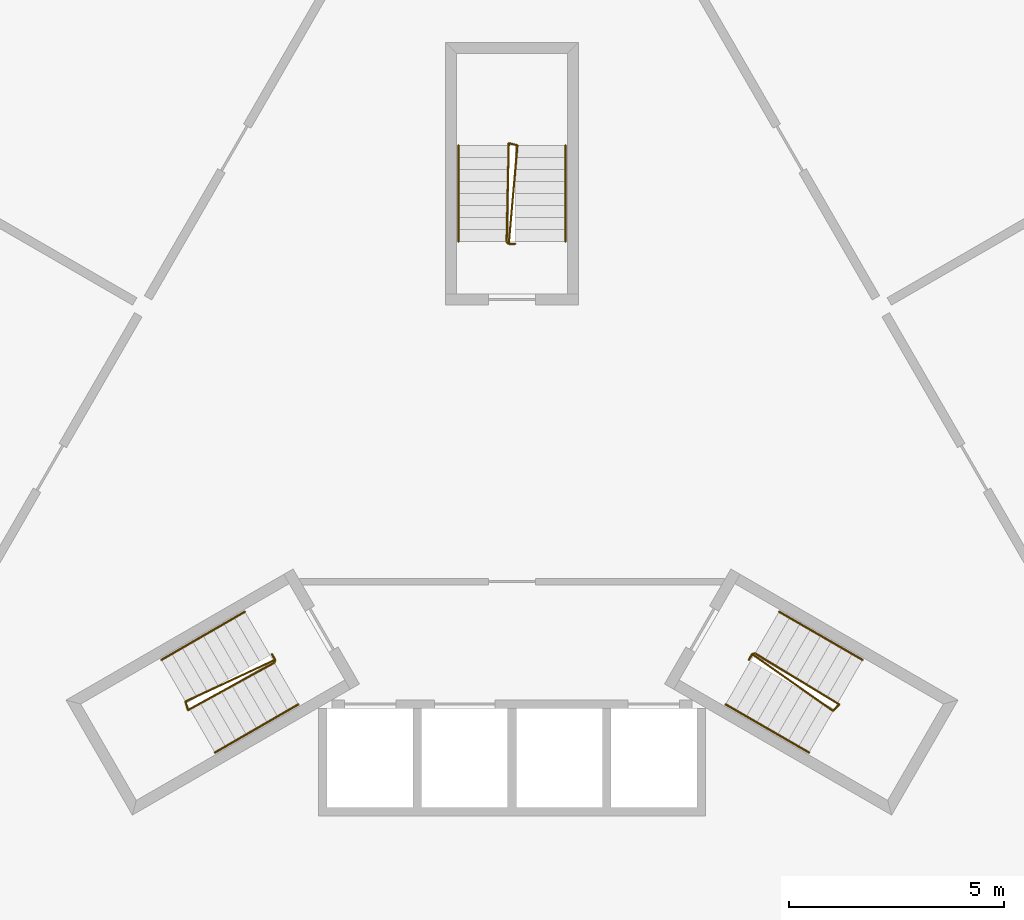
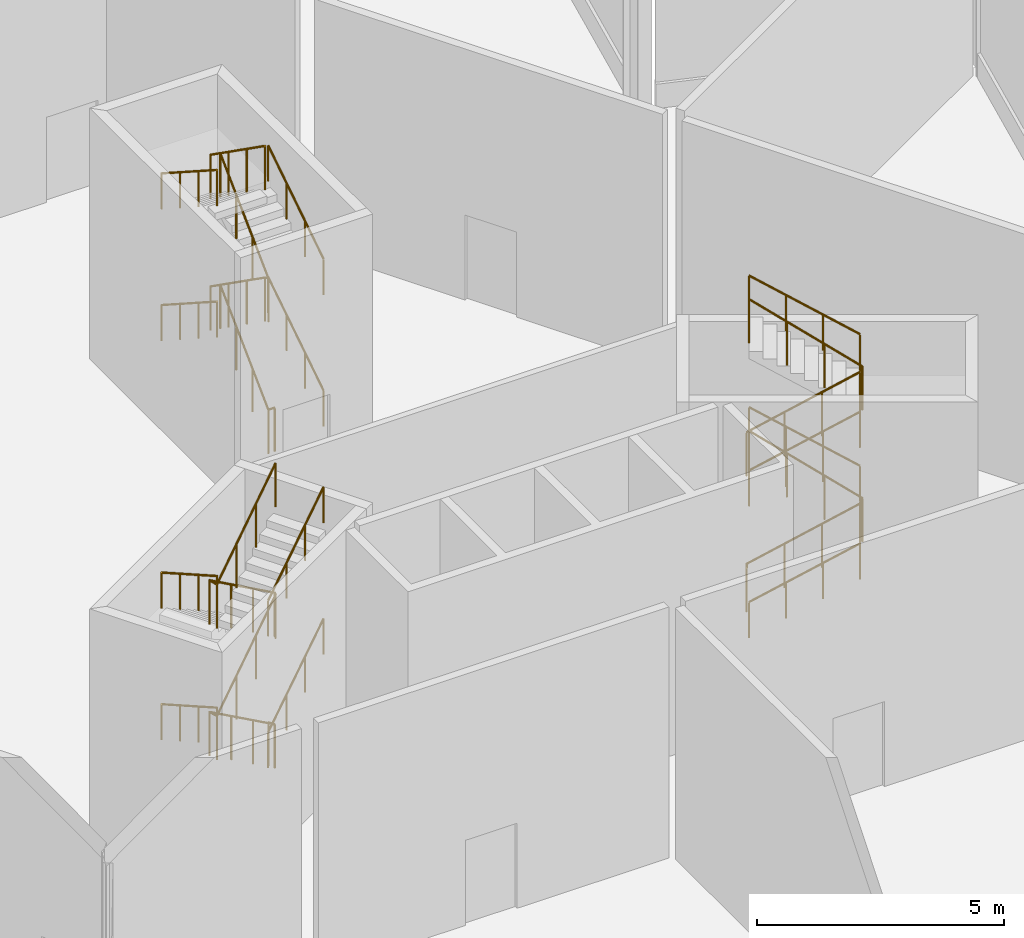
# One storey, part 12 of 12: 15 railings.
"""IFC4 building model written with IfcOpenShell, lengths in metres."""

import ifcopenshell
import ifcopenshell.guid

model = None  # the IFC model being written
_history = None  # IfcOwnerHistory: only IFC2X3 demands one
_inside = {}  # id of a spatial element -> (the spatial element, [elements in it])
_under = {}  # id of a project, library or spatial element -> (it, [spatial elements below it])
_declared = {}  # id of a project -> (the project, [libraries it declares])
_typed = {}  # id of a type object -> (the type object, [elements of that type])
_made_of = {}  # id of a material, layer set ... -> (it, [elements and type objects made of it])


def new_model(schema):
    """Start an empty IFC model of exactly this schema.

    Asked for "IFC4X3", IfcOpenShell would pick the latest addendum, in which some entities
    have other attributes; the version numbers below select the first issue.
    IFC2X3 requires an IfcOwnerHistory on every rooted entity: one is made here for all.
    """
    global model, _history
    if schema == "IFC4X3":
        model = ifcopenshell.file(schema_version=(4, 3, 0, 0))
    else:
        model = ifcopenshell.file(schema=schema)
    _inside.clear()
    _under.clear()
    _declared.clear()
    _typed.clear()
    _made_of.clear()
    _history = None
    if model.schema == "IFC2X3":
        org = make("IfcOrganization", Name="unknown")
        user = make(
            "IfcPersonAndOrganization",
            ThePerson=make("IfcPerson", FamilyName="unknown"),
            TheOrganization=org,
        )
        app = make(
            "IfcApplication",
            ApplicationDeveloper=org,
            Version="unknown",
            ApplicationFullName="unknown",
            ApplicationIdentifier="unknown",
        )
        _history = make(
            "IfcOwnerHistory",
            OwningUser=user,
            OwningApplication=app,
            ChangeAction="ADDED",
            CreationDate=0,
        )
    return model


def make(cls, **values):
    """One entity of the class cls with the attributes given. An attribute that is None is left unset."""
    return model.create_entity(
        cls, **{name: value for name, value in values.items() if value is not None}
    )


def rooted(cls, **values):
    """An entity with a GlobalId (a new one), such as an element, a storey or a relation."""
    return make(cls, GlobalId=ifcopenshell.guid.new(), OwnerHistory=_history, **values)


def si_unit(unit_type, name, prefix=None):
    """IfcSIUnit, for example si_unit("LENGTHUNIT", "METRE", prefix="MILLI")."""
    return make("IfcSIUnit", UnitType=unit_type, Prefix=prefix, Name=name)


def assignment(units):
    """IfcUnitAssignment: the units of a project."""
    return None if units is None else make("IfcUnitAssignment", Units=units)


def point(xyz):
    """IfcCartesianPoint."""
    return None if xyz is None else make("IfcCartesianPoint", Coordinates=xyz)


def direction(xyz):
    """IfcDirection."""
    return None if xyz is None else make("IfcDirection", DirectionRatios=xyz)


def frame(location, z_axis=None, x_axis=None):
    """IfcAxis2Placement3D, a coordinate frame: its origin and axes. An axis left out is left unset."""
    return make(
        "IfcAxis2Placement3D",
        Location=point(location),
        Axis=direction(z_axis),
        RefDirection=direction(x_axis),
    )


def frame_2d(location, x_axis=None):
    """IfcAxis2Placement2D, a coordinate frame in the plane: its origin and x axis."""
    return make(
        "IfcAxis2Placement2D", Location=point(location), RefDirection=direction(x_axis)
    )


def origin():
    """The frame at (0, 0, 0) with its axes left unset."""
    return frame((0.0, 0.0, 0.0))


def origin_2d():
    """The frame at (0, 0) in the plane with its x axis left unset."""
    return frame_2d((0.0, 0.0))


def place(relative_to, where):
    """IfcLocalPlacement: puts the frame where relative to a parent placement (None: the world)."""
    return make(
        "IfcLocalPlacement", PlacementRelTo=relative_to, RelativePlacement=where
    )


def context(
    kind, dimensions, precision=None, world=None, true_north=None, identifier=None
):
    """IfcGeometricRepresentationContext, for example the 3D "Model" context."""
    return make(
        "IfcGeometricRepresentationContext",
        ContextIdentifier=identifier,
        ContextType=kind,
        CoordinateSpaceDimension=dimensions,
        Precision=precision,
        WorldCoordinateSystem=world,
        TrueNorth=true_north,
    )


def subcontext(parent, identifier, kind, view, scale=None):
    """IfcGeometricRepresentationSubContext, for example "Body" below "Model"."""
    return make(
        "IfcGeometricRepresentationSubContext",
        ContextIdentifier=identifier,
        ContextType=kind,
        ParentContext=parent,
        TargetScale=scale,
        TargetView=view,
    )


def project(units=None, contexts=None):
    """IfcProject with its units and contexts."""
    return rooted(
        "IfcProject",
        Name="project",
        RepresentationContexts=contexts,
        UnitsInContext=assignment(units),
    )


def spatial(cls, under=None, at=None, **own):
    """A site, building, storey or space (cls), placed at a placement, below another one or the project."""
    s = rooted(cls, ObjectPlacement=at, **own)
    if under is not None:
        _under.setdefault(under.id(), (under, []))[1].append(s)
    return s


def profile(cls, at=None, kind="AREA", **sizes):
    """A parametric profile (cls). Its sizes go by their IFC names, for example OverallWidth=200.0."""
    return make(cls, ProfileType=kind, Position=at, **sizes)


def circle(**sizes):
    """IfcCircleProfileDef."""
    return profile("IfcCircleProfileDef", **sizes)


def extrude(swept, where, along, depth):
    """IfcExtrudedAreaSolid: the profile swept, set in the frame where, extruded along a direction by depth."""
    return make(
        "IfcExtrudedAreaSolid",
        SweptArea=swept,
        Position=where,
        ExtrudedDirection=direction(along),
        Depth=depth,
    )


def shape(context_of_items, identifier, shape_type, items):
    """IfcShapeRepresentation: the items that make up one representation, for example the "Body"."""
    return make(
        "IfcShapeRepresentation",
        ContextOfItems=context_of_items,
        RepresentationIdentifier=identifier,
        RepresentationType=shape_type,
        Items=items,
    )


def material(Name=None, Category=None):
    """IfcMaterial."""
    return make("IfcMaterial", Name=Name, Category=Category)


def made_of(thing, what):
    """Note that an element or type object is made of a material, layer set ...; save() writes the relation."""
    if what is not None:
        _made_of.setdefault(what.id(), (what, []))[1].append(thing)
    return thing


def type_object(cls, material=None, **own):
    """A type object (cls), such as IfcWallType, which elements share."""
    return made_of(rooted(cls, **own), material)


def element(
    cls,
    number,
    at=None,
    inside=None,
    cuts=None,
    type_object=None,
    material=None,
    context=None,
    identifier="Body",
    shape_type=None,
    held_by="IfcProductDefinitionShape",
    body=None,
    shapes=None,
    **own,
):
    """One element of the class cls, such as IfcWall. Its Tag is "e" and its number.

    at: its placement. inside: the storey or other place that contains it. cuts: it is an
    opening in that element (IfcRelVoidsElement). A single representation is given by context,
    identifier, shape_type and body (its items); several are given by shapes. held_by: the class
    of the entity that holds the representations. save() writes the other relations.
    """
    e = rooted(cls, Tag="e%d" % number, ObjectPlacement=at, **own)
    if body is not None:
        shapes = [shape(context, identifier, shape_type, body)]
    if shapes is not None:
        e.Representation = make(held_by, Representations=shapes)
    if inside is not None:
        _inside.setdefault(inside.id(), (inside, []))[1].append(e)
    if cuts is not None:
        rooted(
            "IfcRelVoidsElement", RelatingBuildingElement=cuts, RelatedOpeningElement=e
        )
    if type_object is not None:
        _typed.setdefault(type_object.id(), (type_object, []))[1].append(e)
    return made_of(e, material)


def aggregate(whole, parts):
    """IfcRelAggregates: a whole, such as a stair, and the parts it consists of."""
    return rooted("IfcRelAggregates", RelatingObject=whole, RelatedObjects=parts)


def save(model, path):
    """Write the relations noted so far, then the file.

    IfcRelAggregates (storeys below a building ...), IfcRelContainedInSpatialStructure (elements
    in a storey), IfcRelDefinesByType, IfcRelAssociatesMaterial and IfcRelDeclares: one each for
    every whole, place, type object, material and project.
    """
    for whole, parts in _under.values():
        aggregate(whole, parts)
    for where, things in _inside.values():
        rooted(
            "IfcRelContainedInSpatialStructure",
            RelatedElements=things,
            RelatingStructure=where,
        )
    for kind, things in _typed.values():
        rooted("IfcRelDefinesByType", RelatedObjects=things, RelatingType=kind)
    for what, things in _made_of.values():
        rooted("IfcRelAssociatesMaterial", RelatedObjects=things, RelatingMaterial=what)
    for by, libraries in _declared.values():
        rooted("IfcRelDeclares", RelatingContext=by, RelatedDefinitions=libraries)
    model.write(path)


model = new_model("IFC4")

# Units and contexts
model_context = context("Model", 3, precision=1e-05, world=origin(), true_north=direction((0.0, 1.0)))
body_context = subcontext(model_context, "Body", "Model", "MODEL_VIEW")
ifc_project = project(units=[si_unit("LENGTHUNIT", "METRE"), si_unit("AREAUNIT", "SQUARE_METRE"), si_unit("VOLUMEUNIT", "CUBIC_METRE"), si_unit("PLANEANGLEUNIT", "RADIAN"), si_unit("MASSUNIT", "GRAM", prefix="KILO")], contexts=[model_context])

# Site, building, storey
site_placement = place(None, origin())
site = spatial("IfcSite", under=ifc_project, at=site_placement, CompositionType="ELEMENT")
building_placement = place(site_placement, origin())
building = spatial("IfcBuilding", under=site, at=building_placement, Name="Cormorant Prow Tower", CompositionType="ELEMENT")
storey_placement = place(building_placement, frame((0.0, 0.0, 415.199951171875)))
storey = spatial("IfcBuildingStorey", under=building, at=storey_placement, Name="L94", CompositionType="ELEMENT", Elevation=415.199951171875)

# Railings
ifc_material_1 = material(Name="Stainless steel", Category="steel")
railing_type_1 = type_object("IfcRailingType", Name="Stair guard 1100", PredefinedType="GUARDRAIL", material=ifc_material_1)
railing_1_placement = place(storey_placement, frame((-5.585205078125, -3.137939453125, 0.0)))
element("IfcRailing", 1, at=railing_1_placement, inside=storey, type_object=railing_type_1, Name="L94 ST1 stair guard 1", PredefinedType="GUARDRAIL", context=body_context, shape_type="SweptSolid", body=[
    extrude(circle(Radius=0.02392578125, at=origin_2d()), frame((0.0, 0.0, 1.076171875), z_axis=(0.501036270542, -0.865426285481, 0.0), x_axis=(0.865426285481, 0.501036270542, 0.0)), (0.0, 0.0, 1.0), 0.150146484375),
    extrude(circle(Radius=0.02392578125, at=origin_2d()), frame((0.0751953125, -0.1298828125, 1.076171875), z_axis=(-0.740008473092, -0.345244782771, 0.577229157026), x_axis=(0.422792438952, -0.906226546491, 0.0)), (0.0, 0.0, 1.0), 2.815185546875),
    extrude(circle(Radius=0.02392578125, at=origin_2d()), frame((-2.008056640625, -1.101806640625, 2.701171875), z_axis=(0.275034262293, -0.961434425515, 0.0), x_axis=(0.961434425515, 0.275034262293, 0.0)), (0.0, 0.0, 1.0), 0.2060546875),
    extrude(circle(Radius=0.02392578125, at=origin_2d()), frame((-1.951416015625, -1.2998046875, 2.701171875), z_axis=(0.715094700355, 0.392232833455, 0.578612974175), x_axis=(-0.480911908544, 0.87676891837, 0.0)), (0.0, 0.0, 1.0), 2.808349609375),
    extrude(circle(Radius=0.02392578125, at=origin_2d()), frame((0.056884765625, -0.1982421875, 4.326171875), z_axis=(0.258736085224, 0.965948051503, 0.0), x_axis=(-0.965948051503, 0.258736085224, 0.0)), (0.0, 0.0, 1.0), 0.07080078125),
    extrude(circle(Radius=0.02392578125, at=origin_2d()), frame((0.0751953125, -0.1298828125, 4.326171875), z_axis=(-0.740008473092, -0.345244782771, 0.577229157026), x_axis=(0.422792438952, -0.906226546491, 0.0)), (0.0, 0.0, 1.0), 2.815185546875),
    extrude(circle(Radius=0.02392578125, at=origin_2d()), frame((-2.008056640625, -1.101806640625, 5.951171875), z_axis=(0.275034262293, -0.961434425515, 0.0), x_axis=(0.961434425515, 0.275034262293, 0.0)), (0.0, 0.0, 1.0), 0.2060546875),
    extrude(circle(Radius=0.02392578125, at=origin_2d()), frame((-1.951416015625, -1.2998046875, 5.951171875), z_axis=(0.715094700355, 0.392232833455, 0.578612974175), x_axis=(-0.480911908544, 0.87676891837, 0.0)), (0.0, 0.0, 1.0), 2.808349609375),
    extrude(circle(Radius=0.02099609375, at=origin_2d()), origin(), (0.0, 0.0, 1.0), 1.052001953125),
    extrude(circle(Radius=0.02099609375, at=origin_2d()), frame((0.0751953125, -0.1298828125, 0.0)), (0.0, 0.0, 1.0), 1.052001953125),
    extrude(circle(Radius=0.02099609375, at=origin_2d()), frame((-0.619140625, -0.453857421875, 0.541748046875)), (0.0, 0.0, 1.0), 1.052001953125),
    extrude(circle(Radius=0.02099609375, at=origin_2d()), frame((-1.313720703125, -0.77783203125, 1.083251953125)), (0.0, 0.0, 1.0), 1.052001953125),
    extrude(circle(Radius=0.02099609375, at=origin_2d()), frame((-2.008056640625, -1.101806640625, 1.625)), (0.0, 0.0, 1.0), 1.052001953125),
    extrude(circle(Radius=0.02099609375, at=origin_2d()), frame((-1.951416015625, -1.2998046875, 1.625)), (0.0, 0.0, 1.0), 1.052001953125),
    extrude(circle(Radius=0.02099609375, at=origin_2d()), frame((-1.281982421875, -0.9326171875, 2.166748046875)), (0.0, 0.0, 1.0), 1.052001953125),
    extrude(circle(Radius=0.02099609375, at=origin_2d()), frame((-0.612548828125, -0.5654296875, 2.708251953125)), (0.0, 0.0, 1.0), 1.052001953125),
    extrude(circle(Radius=0.02099609375, at=origin_2d()), frame((0.056884765625, -0.1982421875, 3.25)), (0.0, 0.0, 1.0), 1.052001953125),
    extrude(circle(Radius=0.02099609375, at=origin_2d()), frame((0.0751953125, -0.1298828125, 3.25)), (0.0, 0.0, 1.0), 1.052001953125),
    extrude(circle(Radius=0.02099609375, at=origin_2d()), frame((-0.619140625, -0.453857421875, 3.791748046875)), (0.0, 0.0, 1.0), 1.052001953125),
    extrude(circle(Radius=0.02099609375, at=origin_2d()), frame((-1.313720703125, -0.77783203125, 4.333251953125)), (0.0, 0.0, 1.0), 1.052001953125),
    extrude(circle(Radius=0.02099609375, at=origin_2d()), frame((-2.008056640625, -1.101806640625, 4.875)), (0.0, 0.0, 1.0), 1.052001953125),
    extrude(circle(Radius=0.02099609375, at=origin_2d()), frame((-1.951416015625, -1.2998046875, 4.875)), (0.0, 0.0, 1.0), 1.052001953125),
    extrude(circle(Radius=0.02099609375, at=origin_2d()), frame((-1.281982421875, -0.9326171875, 5.416748046875)), (0.0, 0.0, 1.0), 1.052001953125),
    extrude(circle(Radius=0.02099609375, at=origin_2d()), frame((-0.612548828125, -0.5654296875, 5.958251953125)), (0.0, 0.0, 1.0), 1.052001953125),
    extrude(circle(Radius=0.02099609375, at=origin_2d()), frame((0.056884765625, -0.1982421875, 6.5)), (0.0, 0.0, 1.0), 1.052001953125),
])
railing_2_placement = place(storey_placement, frame((5.510009765625, -3.267822265625, 0.0)))
element("IfcRailing", 2, at=railing_2_placement, inside=storey, type_object=railing_type_1, Name="L94 ST2 stair guard 1", PredefinedType="GUARDRAIL", context=body_context, shape_type="SweptSolid", body=[
    extrude(circle(Radius=0.02392578125, at=origin_2d()), frame((0.0, 0.0, 1.076171875), z_axis=(0.501036270542, 0.865426285481, 0.0), x_axis=(-0.865426285481, 0.501036270542, 0.0)), (0.0, 0.0, 1.0), 0.150146484375),
    extrude(circle(Radius=0.02392578125, at=origin_2d()), frame((0.0751953125, 0.1298828125, 1.076171875), z_axis=(0.668948032696, -0.468254949893, 0.577274485365), x_axis=(0.573455215813, 0.819236910458, 0.0)), (0.0, 0.0, 1.0), 2.81494140625),
    extrude(circle(Radius=0.02392578125, at=origin_2d()), frame((1.958251953125, -1.188232421875, 2.701171875), z_axis=(0.695164929852, 0.718850276695, 0.0), x_axis=(-0.718850276695, 0.695164929852, 0.0)), (0.0, 0.0, 1.0), 0.2060546875),
    extrude(circle(Radius=0.02392578125, at=origin_2d()), frame((2.1015625, -1.0400390625, 2.701171875), z_axis=(-0.697276709807, 0.423095093708, 0.578615357246), x_axis=(-0.518752825935, -0.854924268918, 0.0)), (0.0, 0.0, 1.0), 2.808349609375),
    extrude(circle(Radius=0.02392578125, at=origin_2d()), frame((0.143310546875, 0.148193359375, 4.326171875), z_axis=(-0.965715946433, -0.259601060869, 0.0), x_axis=(0.259601060869, -0.965715946433, 0.0)), (0.0, 0.0, 1.0), 0.070556640625),
    extrude(circle(Radius=0.02392578125, at=origin_2d()), frame((0.0751953125, 0.1298828125, 4.326171875), z_axis=(0.668948032696, -0.468254949893, 0.577274485365), x_axis=(0.573455215813, 0.819236910458, 0.0)), (0.0, 0.0, 1.0), 2.81494140625),
    extrude(circle(Radius=0.02392578125, at=origin_2d()), frame((1.958251953125, -1.188232421875, 5.951171875), z_axis=(0.695164929852, 0.718850276695, 0.0), x_axis=(-0.718850276695, 0.695164929852, 0.0)), (0.0, 0.0, 1.0), 0.2060546875),
    extrude(circle(Radius=0.02392578125, at=origin_2d()), frame((2.1015625, -1.0400390625, 5.951171875), z_axis=(-0.697276709807, 0.423095093708, 0.578615357246), x_axis=(-0.518752825935, -0.854924268918, 0.0)), (0.0, 0.0, 1.0), 2.808349609375),
    extrude(circle(Radius=0.02099609375, at=origin_2d()), origin(), (0.0, 0.0, 1.0), 1.052001953125),
    extrude(circle(Radius=0.02099609375, at=origin_2d()), frame((0.0751953125, 0.1298828125, 0.0)), (0.0, 0.0, 1.0), 1.052001953125),
    extrude(circle(Radius=0.02099609375, at=origin_2d()), frame((0.702880859375, -0.3095703125, 0.541748046875)), (0.0, 0.0, 1.0), 1.052001953125),
    extrude(circle(Radius=0.02099609375, at=origin_2d()), frame((1.33056640625, -0.748779296875, 1.083251953125)), (0.0, 0.0, 1.0), 1.052001953125),
    extrude(circle(Radius=0.02099609375, at=origin_2d()), frame((1.958251953125, -1.188232421875, 1.625)), (0.0, 0.0, 1.0), 1.052001953125),
    extrude(circle(Radius=0.02099609375, at=origin_2d()), frame((2.1015625, -1.0400390625, 1.625)), (0.0, 0.0, 1.0), 1.052001953125),
    extrude(circle(Radius=0.02099609375, at=origin_2d()), frame((1.44873046875, -0.64404296875, 2.166748046875)), (0.0, 0.0, 1.0), 1.052001953125),
    extrude(circle(Radius=0.02099609375, at=origin_2d()), frame((0.796142578125, -0.247802734375, 2.708251953125)), (0.0, 0.0, 1.0), 1.052001953125),
    extrude(circle(Radius=0.02099609375, at=origin_2d()), frame((0.143310546875, 0.148193359375, 3.25)), (0.0, 0.0, 1.0), 1.052001953125),
    extrude(circle(Radius=0.02099609375, at=origin_2d()), frame((0.0751953125, 0.1298828125, 3.25)), (0.0, 0.0, 1.0), 1.052001953125),
    extrude(circle(Radius=0.02099609375, at=origin_2d()), frame((0.702880859375, -0.3095703125, 3.791748046875)), (0.0, 0.0, 1.0), 1.052001953125),
    extrude(circle(Radius=0.02099609375, at=origin_2d()), frame((1.33056640625, -0.748779296875, 4.333251953125)), (0.0, 0.0, 1.0), 1.052001953125),
    extrude(circle(Radius=0.02099609375, at=origin_2d()), frame((1.958251953125, -1.188232421875, 4.875)), (0.0, 0.0, 1.0), 1.052001953125),
    extrude(circle(Radius=0.02099609375, at=origin_2d()), frame((2.1015625, -1.0400390625, 4.875)), (0.0, 0.0, 1.0), 1.052001953125),
    extrude(circle(Radius=0.02099609375, at=origin_2d()), frame((1.44873046875, -0.64404296875, 5.416748046875)), (0.0, 0.0, 1.0), 1.052001953125),
    extrude(circle(Radius=0.02099609375, at=origin_2d()), frame((0.796142578125, -0.247802734375, 5.958251953125)), (0.0, 0.0, 1.0), 1.052001953125),
    extrude(circle(Radius=0.02099609375, at=origin_2d()), frame((0.143310546875, 0.148193359375, 6.5)), (0.0, 0.0, 1.0), 1.052001953125),
])
railing_3_placement = place(storey_placement, frame((0.074951171875, 6.40576171875, 0.0)))
element("IfcRailing", 3, at=railing_3_placement, inside=storey, type_object=railing_type_1, Name="L94 ST3 stair guard 1", PredefinedType="GUARDRAIL", context=body_context, shape_type="SweptSolid", body=[
    extrude(circle(Radius=0.02392578125, at=origin_2d()), frame((0.0, 0.0, 1.076171875), z_axis=(-1.0, 0.0, 0.0), x_axis=(0.0, -1.0, 0.0)), (0.0, 0.0, 1.0), 0.14990234375),
    extrude(circle(Radius=0.02392578125, at=origin_2d()), frame((-0.14990234375, 0.0, 1.076171875), z_axis=(0.071027656616, 0.813479144146, 0.577240637893), x_axis=(-0.996209839609, 0.086982500921, 0.0)), (0.0, 0.0, 1.0), 2.815185546875),
    extrude(circle(Radius=0.02392578125, at=origin_2d()), frame((0.050048828125, 2.2900390625, 2.701171875), z_axis=(-0.970072785993, 0.242814311512, 0.0), x_axis=(-0.242814311512, -0.970072785993, 0.0)), (0.0, 0.0, 1.0), 0.2060546875),
    extrude(circle(Radius=0.02392578125, at=origin_2d()), frame((-0.14990234375, 2.340087890625, 2.701171875), z_axis=(-0.017820781196, -0.815409403021, 0.578610339713), x_axis=(0.999761264773, -0.0218497931, 0.0)), (0.0, 0.0, 1.0), 2.808349609375),
    extrude(circle(Radius=0.02392578125, at=origin_2d()), frame((-0.199951171875, 0.050048828125, 4.326171875), z_axis=(0.707106781187, -0.707106781187, 0.0), x_axis=(0.707106781187, 0.707106781187, 0.0)), (0.0, 0.0, 1.0), 0.07080078125),
    extrude(circle(Radius=0.02392578125, at=origin_2d()), frame((-0.14990234375, 0.0, 4.326171875), z_axis=(0.071027656616, 0.813479144146, 0.577240637893), x_axis=(-0.996209839609, 0.086982500921, 0.0)), (0.0, 0.0, 1.0), 2.815185546875),
    extrude(circle(Radius=0.02392578125, at=origin_2d()), frame((0.050048828125, 2.2900390625, 5.951171875), z_axis=(-0.970072785993, 0.242814311512, 0.0), x_axis=(-0.242814311512, -0.970072785993, 0.0)), (0.0, 0.0, 1.0), 0.2060546875),
    extrude(circle(Radius=0.02392578125, at=origin_2d()), frame((-0.14990234375, 2.340087890625, 5.951171875), z_axis=(-0.017820781196, -0.815409403021, 0.578610339713), x_axis=(0.999761264773, -0.0218497931, 0.0)), (0.0, 0.0, 1.0), 2.808349609375),
    extrude(circle(Radius=0.02099609375, at=origin_2d()), origin(), (0.0, 0.0, 1.0), 1.052001953125),
    extrude(circle(Radius=0.02099609375, at=origin_2d()), frame((-0.14990234375, 0.0, 0.0)), (0.0, 0.0, 1.0), 1.052001953125),
    extrude(circle(Radius=0.02099609375, at=origin_2d()), frame((-0.083251953125, 0.763427734375, 0.541748046875)), (0.0, 0.0, 1.0), 1.052001953125),
    extrude(circle(Radius=0.02099609375, at=origin_2d()), frame((-0.0166015625, 1.526611328125, 1.083251953125)), (0.0, 0.0, 1.0), 1.052001953125),
    extrude(circle(Radius=0.02099609375, at=origin_2d()), frame((0.050048828125, 2.2900390625, 1.625)), (0.0, 0.0, 1.0), 1.052001953125),
    extrude(circle(Radius=0.02099609375, at=origin_2d()), frame((-0.14990234375, 2.340087890625, 1.625)), (0.0, 0.0, 1.0), 1.052001953125),
    extrude(circle(Radius=0.02099609375, at=origin_2d()), frame((-0.16650390625, 1.57666015625, 2.166748046875)), (0.0, 0.0, 1.0), 1.052001953125),
    extrude(circle(Radius=0.02099609375, at=origin_2d()), frame((-0.183349609375, 0.8134765625, 2.708251953125)), (0.0, 0.0, 1.0), 1.052001953125),
    extrude(circle(Radius=0.02099609375, at=origin_2d()), frame((-0.199951171875, 0.050048828125, 3.25)), (0.0, 0.0, 1.0), 1.052001953125),
    extrude(circle(Radius=0.02099609375, at=origin_2d()), frame((-0.14990234375, 0.0, 3.25)), (0.0, 0.0, 1.0), 1.052001953125),
    extrude(circle(Radius=0.02099609375, at=origin_2d()), frame((-0.083251953125, 0.763427734375, 3.791748046875)), (0.0, 0.0, 1.0), 1.052001953125),
    extrude(circle(Radius=0.02099609375, at=origin_2d()), frame((-0.0166015625, 1.526611328125, 4.333251953125)), (0.0, 0.0, 1.0), 1.052001953125),
    extrude(circle(Radius=0.02099609375, at=origin_2d()), frame((0.050048828125, 2.2900390625, 4.875)), (0.0, 0.0, 1.0), 1.052001953125),
    extrude(circle(Radius=0.02099609375, at=origin_2d()), frame((-0.14990234375, 2.340087890625, 4.875)), (0.0, 0.0, 1.0), 1.052001953125),
    extrude(circle(Radius=0.02099609375, at=origin_2d()), frame((-0.16650390625, 1.57666015625, 5.416748046875)), (0.0, 0.0, 1.0), 1.052001953125),
    extrude(circle(Radius=0.02099609375, at=origin_2d()), frame((-0.183349609375, 0.8134765625, 5.958251953125)), (0.0, 0.0, 1.0), 1.052001953125),
    extrude(circle(Radius=0.02099609375, at=origin_2d()), frame((-0.199951171875, 0.050048828125, 6.5)), (0.0, 0.0, 1.0), 1.052001953125),
])
ifc_material_2 = material(Name="Stainless steel", Category="steel")
railing_type_2 = type_object("IfcRailingType", Name="Stair handrail 900", PredefinedType="HANDRAIL", material=ifc_material_2)
railing_4_placement = place(storey_placement, frame((-6.212890625, -2.150634765625, 0.1806640625)))
element("IfcRailing", 4, at=railing_4_placement, inside=storey, type_object=railing_type_2, Name="L94 ST1 stair handrail 1", PredefinedType="HANDRAIL", context=body_context, shape_type="SweptSolid", body=[
    extrude(circle(Radius=0.02392578125, at=origin_2d()), frame((0.0, 0.0, 0.8759765625), z_axis=(-0.727862807897, -0.420174515457, 0.541912455514), x_axis=(0.49994888933, -0.866054910533, 0.0)), (0.0, 0.0, 1.0), 2.665283203125),
    extrude(circle(Radius=0.02099609375, at=origin_2d()), origin(), (0.0, 0.0, 1.0), 0.851806640625),
    extrude(circle(Radius=0.02099609375, at=origin_2d()), frame((-0.646728515625, -0.373291015625, 0.4814453125)), (0.0, 0.0, 1.0), 0.851806640625),
    extrude(circle(Radius=0.02099609375, at=origin_2d()), frame((-1.293212890625, -0.74658203125, 0.962890625)), (0.0, 0.0, 1.0), 0.851806640625),
    extrude(circle(Radius=0.02099609375, at=origin_2d()), frame((-1.93994140625, -1.119873046875, 1.4443359375)), (0.0, 0.0, 1.0), 0.851806640625),
])
railing_5_placement = place(storey_placement, frame((-6.90869140625, -5.42529296875, 1.8056640625)))
element("IfcRailing", 5, at=railing_5_placement, inside=storey, type_object=railing_type_2, Name="L94 ST1 stair handrail 2", PredefinedType="HANDRAIL", context=body_context, shape_type="SweptSolid", body=[
    extrude(circle(Radius=0.02392578125, at=origin_2d()), frame((0.0, 0.0, 0.8759765625), z_axis=(0.727791713441, 0.420277958624, 0.541927725201), x_axis=(-0.500077830873, 0.865980463445, 0.0)), (0.0, 0.0, 1.0), 2.665283203125),
    extrude(circle(Radius=0.02099609375, at=origin_2d()), origin(), (0.0, 0.0, 1.0), 0.851806640625),
    extrude(circle(Radius=0.02099609375, at=origin_2d()), frame((0.646484375, 0.373291015625, 0.4814453125)), (0.0, 0.0, 1.0), 0.851806640625),
    extrude(circle(Radius=0.02099609375, at=origin_2d()), frame((1.293212890625, 0.746826171875, 0.962890625)), (0.0, 0.0, 1.0), 0.851806640625),
    extrude(circle(Radius=0.02099609375, at=origin_2d()), frame((1.939697265625, 1.1201171875, 1.4443359375)), (0.0, 0.0, 1.0), 0.851806640625),
])
railing_6_placement = place(storey_placement, frame((-6.212890625, -2.150634765625, 3.4306640625)))
element("IfcRailing", 6, at=railing_6_placement, inside=storey, type_object=railing_type_2, Name="L94 ST1 stair handrail 3", PredefinedType="HANDRAIL", context=body_context, shape_type="SweptSolid", body=[
    extrude(circle(Radius=0.02392578125, at=origin_2d()), frame((0.0, 0.0, 0.8759765625), z_axis=(-0.727862807897, -0.420174515457, 0.541912455514), x_axis=(0.49994888933, -0.866054910533, 0.0)), (0.0, 0.0, 1.0), 2.665283203125),
    extrude(circle(Radius=0.02099609375, at=origin_2d()), origin(), (0.0, 0.0, 1.0), 0.851806640625),
    extrude(circle(Radius=0.02099609375, at=origin_2d()), frame((-0.646728515625, -0.373291015625, 0.4814453125)), (0.0, 0.0, 1.0), 0.851806640625),
    extrude(circle(Radius=0.02099609375, at=origin_2d()), frame((-1.293212890625, -0.74658203125, 0.962890625)), (0.0, 0.0, 1.0), 0.851806640625),
    extrude(circle(Radius=0.02099609375, at=origin_2d()), frame((-1.93994140625, -1.119873046875, 1.4443359375)), (0.0, 0.0, 1.0), 0.851806640625),
])
railing_7_placement = place(storey_placement, frame((-6.90869140625, -5.42529296875, 5.0556640625)))
element("IfcRailing", 7, at=railing_7_placement, inside=storey, type_object=railing_type_2, Name="L94 ST1 stair handrail 4", PredefinedType="HANDRAIL", context=body_context, shape_type="SweptSolid", body=[
    extrude(circle(Radius=0.02392578125, at=origin_2d()), frame((0.0, 0.0, 0.8759765625), z_axis=(0.727791713441, 0.420277958624, 0.541927725201), x_axis=(-0.500077830873, 0.865980463445, 0.0)), (0.0, 0.0, 1.0), 2.665283203125),
    extrude(circle(Radius=0.02099609375, at=origin_2d()), origin(), (0.0, 0.0, 1.0), 0.851806640625),
    extrude(circle(Radius=0.02099609375, at=origin_2d()), frame((0.646484375, 0.373291015625, 0.4814453125)), (0.0, 0.0, 1.0), 0.851806640625),
    extrude(circle(Radius=0.02099609375, at=origin_2d()), frame((1.293212890625, 0.746826171875, 0.962890625)), (0.0, 0.0, 1.0), 0.851806640625),
    extrude(circle(Radius=0.02099609375, at=origin_2d()), frame((1.939697265625, 1.1201171875, 1.4443359375)), (0.0, 0.0, 1.0), 0.851806640625),
])
railing_8_placement = place(storey_placement, frame((4.968994140625, -4.30517578125, 0.1806640625)))
element("IfcRailing", 8, at=railing_8_placement, inside=storey, type_object=railing_type_2, Name="L94 ST2 stair handrail 1", PredefinedType="HANDRAIL", context=body_context, shape_type="SweptSolid", body=[
    extrude(circle(Radius=0.02392578125, at=origin_2d()), frame((0.0, 0.0, 0.8759765625), z_axis=(0.727791713441, -0.420277958624, 0.541927725201), x_axis=(0.500077830873, 0.865980463445, 0.0)), (0.0, 0.0, 1.0), 2.665283203125),
    extrude(circle(Radius=0.02099609375, at=origin_2d()), origin(), (0.0, 0.0, 1.0), 0.851806640625),
    extrude(circle(Radius=0.02099609375, at=origin_2d()), frame((0.646484375, -0.373291015625, 0.4814453125)), (0.0, 0.0, 1.0), 0.851806640625),
    extrude(circle(Radius=0.02099609375, at=origin_2d()), frame((1.293212890625, -0.746826171875, 0.962890625)), (0.0, 0.0, 1.0), 0.851806640625),
    extrude(circle(Radius=0.02099609375, at=origin_2d()), frame((1.939697265625, -1.1201171875, 1.4443359375)), (0.0, 0.0, 1.0), 0.851806640625),
])
railing_9_placement = place(storey_placement, frame((8.15283203125, -3.2705078125, 1.8056640625)))
element("IfcRailing", 9, at=railing_9_placement, inside=storey, type_object=railing_type_2, Name="L94 ST2 stair handrail 2", PredefinedType="HANDRAIL", context=body_context, shape_type="SweptSolid", body=[
    extrude(circle(Radius=0.02392578125, at=origin_2d()), frame((0.0, 0.0, 0.8759765625), z_axis=(-0.727862807897, 0.420174515457, 0.541912455514), x_axis=(-0.49994888933, -0.866054910533, 0.0)), (0.0, 0.0, 1.0), 2.665283203125),
    extrude(circle(Radius=0.02099609375, at=origin_2d()), origin(), (0.0, 0.0, 1.0), 0.851806640625),
    extrude(circle(Radius=0.02099609375, at=origin_2d()), frame((-0.646728515625, 0.373291015625, 0.4814453125)), (0.0, 0.0, 1.0), 0.851806640625),
    extrude(circle(Radius=0.02099609375, at=origin_2d()), frame((-1.293212890625, 0.74658203125, 0.962890625)), (0.0, 0.0, 1.0), 0.851806640625),
    extrude(circle(Radius=0.02099609375, at=origin_2d()), frame((-1.93994140625, 1.119873046875, 1.4443359375)), (0.0, 0.0, 1.0), 0.851806640625),
])
railing_10_placement = place(storey_placement, frame((4.968994140625, -4.30517578125, 3.4306640625)))
element("IfcRailing", 10, at=railing_10_placement, inside=storey, type_object=railing_type_2, Name="L94 ST2 stair handrail 3", PredefinedType="HANDRAIL", context=body_context, shape_type="SweptSolid", body=[
    extrude(circle(Radius=0.02392578125, at=origin_2d()), frame((0.0, 0.0, 0.8759765625), z_axis=(0.727791713441, -0.420277958624, 0.541927725201), x_axis=(0.500077830873, 0.865980463445, 0.0)), (0.0, 0.0, 1.0), 2.665283203125),
    extrude(circle(Radius=0.02099609375, at=origin_2d()), origin(), (0.0, 0.0, 1.0), 0.851806640625),
    extrude(circle(Radius=0.02099609375, at=origin_2d()), frame((0.646484375, -0.373291015625, 0.4814453125)), (0.0, 0.0, 1.0), 0.851806640625),
    extrude(circle(Radius=0.02099609375, at=origin_2d()), frame((1.293212890625, -0.746826171875, 0.962890625)), (0.0, 0.0, 1.0), 0.851806640625),
    extrude(circle(Radius=0.02099609375, at=origin_2d()), frame((1.939697265625, -1.1201171875, 1.4443359375)), (0.0, 0.0, 1.0), 0.851806640625),
])
railing_11_placement = place(storey_placement, frame((8.15283203125, -3.2705078125, 5.0556640625)))
element("IfcRailing", 11, at=railing_11_placement, inside=storey, type_object=railing_type_2, Name="L94 ST2 stair handrail 4", PredefinedType="HANDRAIL", context=body_context, shape_type="SweptSolid", body=[
    extrude(circle(Radius=0.02392578125, at=origin_2d()), frame((0.0, 0.0, 0.8759765625), z_axis=(-0.727862807897, 0.420174515457, 0.541912455514), x_axis=(-0.49994888933, -0.866054910533, 0.0)), (0.0, 0.0, 1.0), 2.665283203125),
    extrude(circle(Radius=0.02099609375, at=origin_2d()), origin(), (0.0, 0.0, 1.0), 0.851806640625),
    extrude(circle(Radius=0.02099609375, at=origin_2d()), frame((-0.646728515625, 0.373291015625, 0.4814453125)), (0.0, 0.0, 1.0), 0.851806640625),
    extrude(circle(Radius=0.02099609375, at=origin_2d()), frame((-1.293212890625, 0.74658203125, 0.962890625)), (0.0, 0.0, 1.0), 0.851806640625),
    extrude(circle(Radius=0.02099609375, at=origin_2d()), frame((-1.93994140625, 1.119873046875, 1.4443359375)), (0.0, 0.0, 1.0), 0.851806640625),
])
railing_12_placement = place(storey_placement, frame((1.243896484375, 6.455810546875, 0.1806640625)))
element("IfcRailing", 12, at=railing_12_placement, inside=storey, type_object=railing_type_2, Name="L94 ST3 stair handrail 1", PredefinedType="HANDRAIL", context=body_context, shape_type="SweptSolid", body=[
    extrude(circle(Radius=0.02392578125, at=origin_2d()), frame((0.0, 0.0, 0.8759765625), z_axis=(0.0, 0.840436612492, 0.541909863706), x_axis=(-1.0, 0.0, 0.0)), (0.0, 0.0, 1.0), 2.665283203125),
    extrude(circle(Radius=0.02099609375, at=origin_2d()), origin(), (0.0, 0.0, 1.0), 0.851806640625),
    extrude(circle(Radius=0.02099609375, at=origin_2d()), frame((0.0, 0.74658203125, 0.4814453125)), (0.0, 0.0, 1.0), 0.851806640625),
    extrude(circle(Radius=0.02099609375, at=origin_2d()), frame((0.0, 1.493408203125, 0.962890625)), (0.0, 0.0, 1.0), 0.851806640625),
    extrude(circle(Radius=0.02099609375, at=origin_2d()), frame((0.0, 2.239990234375, 1.4443359375)), (0.0, 0.0, 1.0), 0.851806640625),
])
railing_13_placement = place(storey_placement, frame((-1.243896484375, 8.69580078125, 1.8056640625)))
element("IfcRailing", 13, at=railing_13_placement, inside=storey, type_object=railing_type_2, Name="L94 ST3 stair handrail 2", PredefinedType="HANDRAIL", context=body_context, shape_type="SweptSolid", body=[
    extrude(circle(Radius=0.02392578125, at=origin_2d()), frame((0.0, 0.0, 0.8759765625), z_axis=(0.0, -0.840436612492, 0.541909863706), x_axis=(1.0, 0.0, 0.0)), (0.0, 0.0, 1.0), 2.665283203125),
    extrude(circle(Radius=0.02099609375, at=origin_2d()), origin(), (0.0, 0.0, 1.0), 0.851806640625),
    extrude(circle(Radius=0.02099609375, at=origin_2d()), frame((0.0, -0.74658203125, 0.4814453125)), (0.0, 0.0, 1.0), 0.851806640625),
    extrude(circle(Radius=0.02099609375, at=origin_2d()), frame((0.0, -1.493408203125, 0.962890625)), (0.0, 0.0, 1.0), 0.851806640625),
    extrude(circle(Radius=0.02099609375, at=origin_2d()), frame((0.0, -2.239990234375, 1.4443359375)), (0.0, 0.0, 1.0), 0.851806640625),
])
railing_14_placement = place(storey_placement, frame((1.243896484375, 6.455810546875, 3.4306640625)))
element("IfcRailing", 14, at=railing_14_placement, inside=storey, type_object=railing_type_2, Name="L94 ST3 stair handrail 3", PredefinedType="HANDRAIL", context=body_context, shape_type="SweptSolid", body=[
    extrude(circle(Radius=0.02392578125, at=origin_2d()), frame((0.0, 0.0, 0.8759765625), z_axis=(0.0, 0.840436612492, 0.541909863706), x_axis=(-1.0, 0.0, 0.0)), (0.0, 0.0, 1.0), 2.665283203125),
    extrude(circle(Radius=0.02099609375, at=origin_2d()), origin(), (0.0, 0.0, 1.0), 0.851806640625),
    extrude(circle(Radius=0.02099609375, at=origin_2d()), frame((0.0, 0.74658203125, 0.4814453125)), (0.0, 0.0, 1.0), 0.851806640625),
    extrude(circle(Radius=0.02099609375, at=origin_2d()), frame((0.0, 1.493408203125, 0.962890625)), (0.0, 0.0, 1.0), 0.851806640625),
    extrude(circle(Radius=0.02099609375, at=origin_2d()), frame((0.0, 2.239990234375, 1.4443359375)), (0.0, 0.0, 1.0), 0.851806640625),
])
railing_15_placement = place(storey_placement, frame((-1.243896484375, 8.69580078125, 5.0556640625)))
element("IfcRailing", 15, at=railing_15_placement, inside=storey, type_object=railing_type_2, Name="L94 ST3 stair handrail 4", PredefinedType="HANDRAIL", context=body_context, shape_type="SweptSolid", body=[
    extrude(circle(Radius=0.02392578125, at=origin_2d()), frame((0.0, 0.0, 0.8759765625), z_axis=(0.0, -0.840436612492, 0.541909863706), x_axis=(1.0, 0.0, 0.0)), (0.0, 0.0, 1.0), 2.665283203125),
    extrude(circle(Radius=0.02099609375, at=origin_2d()), origin(), (0.0, 0.0, 1.0), 0.851806640625),
    extrude(circle(Radius=0.02099609375, at=origin_2d()), frame((0.0, -0.74658203125, 0.4814453125)), (0.0, 0.0, 1.0), 0.851806640625),
    extrude(circle(Radius=0.02099609375, at=origin_2d()), frame((0.0, -1.493408203125, 0.962890625)), (0.0, 0.0, 1.0), 0.851806640625),
    extrude(circle(Radius=0.02099609375, at=origin_2d()), frame((0.0, -2.239990234375, 1.4443359375)), (0.0, 0.0, 1.0), 0.851806640625),
])

save(model, "model.ifc")
